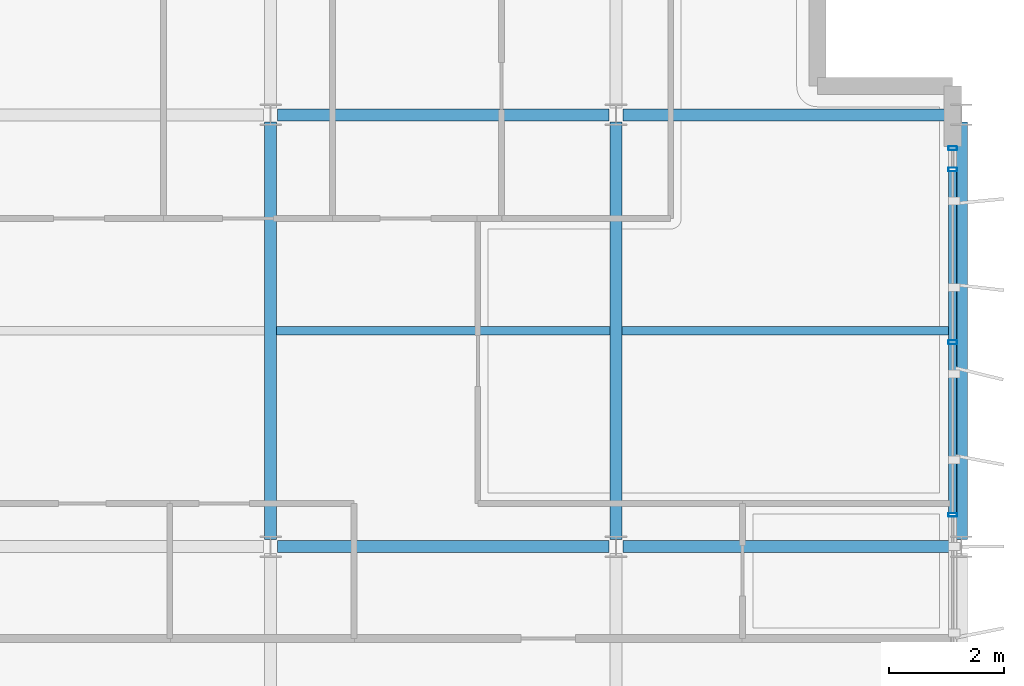
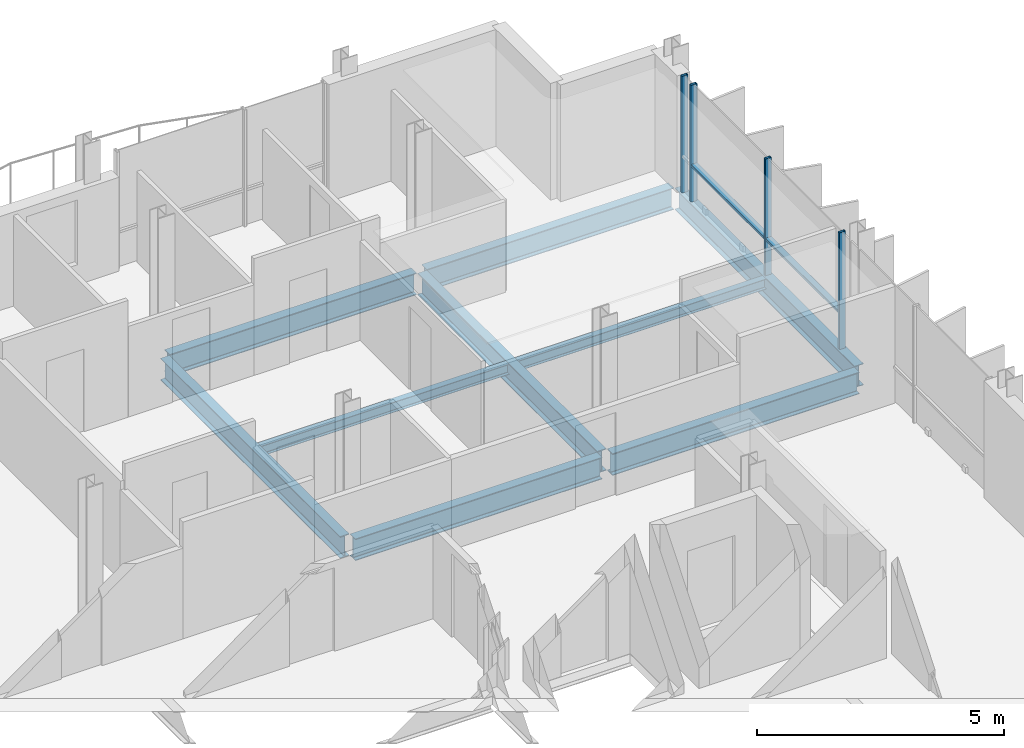
# One storey, part 13 of 30: 9 beams, 6 members, 1 element without a shape of its own.
"""IFC4 building model written with IfcOpenShell, lengths in metres."""

from ifc_helpers import new_model, si_unit, direction, frame, origin, origin_2d, place, context, subcontext, project, spatial, hollow_rectangle, i_section, extrude, material, layer, layer_set, material_profile, profile_set, type_object, element, aggregate, save


model = new_model("IFC4")

# Units and contexts
model_context = context("Model", 3, precision=1e-05, world=origin(), true_north=direction((0.0, 1.0)))
body_context = subcontext(model_context, "Body", "Model", "MODEL_VIEW")
ifc_project = project(units=[si_unit("LENGTHUNIT", "METRE"), si_unit("AREAUNIT", "SQUARE_METRE"), si_unit("VOLUMEUNIT", "CUBIC_METRE"), si_unit("PLANEANGLEUNIT", "RADIAN"), si_unit("MASSUNIT", "GRAM", prefix="KILO")], contexts=[model_context])

# Site, building, storey
site_placement = place(None, origin())
site = spatial("IfcSite", under=ifc_project, at=site_placement, CompositionType="ELEMENT")
building_placement = place(site_placement, origin())
building = spatial("IfcBuilding", under=site, at=building_placement, Name="Brevholm Reach", CompositionType="ELEMENT")
storey_placement = place(building_placement, frame((0.0, 0.0, 211.10009765625)))
storey = spatial("IfcBuildingStorey", under=building, at=storey_placement, Name="L64", CompositionType="ELEMENT", Elevation=211.10009765625)

# Beams
ifc_material_1 = material(Name="Structural Steel S355J2", Category="steel")
ifc_material_profile_1 = material_profile(ifc_material_1, i_section(OverallWidth=0.14599609375, OverallDepth=0.25146484375, WebThickness=0.006103515625, FlangeThickness=0.008544921875, FilletRadius=0.007568359375, at=origin_2d()), Name="UKB 254x146x31")
ifc_profile_set_1 = profile_set([ifc_material_profile_1], Name="Structural Steel S355J2")
beam_type_1 = type_object("IfcBeamType", Name="BM-B254", PredefinedType="BEAM", material=ifc_profile_set_1)
beam_1_placement = place(storey_placement, frame((48.10546875, 19.75, -0.335693359375), z_axis=(1.0, 0.0, 0.0), x_axis=(0.0, 1.0, 0.0)))
element("IfcBeam", 1, at=beam_1_placement, inside=storey, type_object=beam_type_1, Name="L64 Composite Secondary Floor Beam", PredefinedType="BEAM", context=body_context, shape_type="SweptSolid", body=[
    extrude(i_section(OverallWidth=0.14599609375, OverallDepth=0.25146484375, WebThickness=0.006103515625, FlangeThickness=0.008544921875, FilletRadius=0.007568359375, at=origin_2d()), origin(), (0.0, 0.0, 1.0), 5.7890625),
])
beam_2_placement = place(storey_placement, frame((54.10546875, 19.75, -0.335693359375), z_axis=(1.0, 0.0, 0.0), x_axis=(0.0, 1.0, 0.0)))
element("IfcBeam", 2, at=beam_2_placement, inside=storey, type_object=beam_type_1, Name="L64 Composite Secondary Floor Beam", PredefinedType="BEAM", context=body_context, shape_type="SweptSolid", body=[
    extrude(i_section(OverallWidth=0.14599609375, OverallDepth=0.25146484375, WebThickness=0.006103515625, FlangeThickness=0.008544921875, FilletRadius=0.007568359375, at=origin_2d()), origin(), (0.0, 0.0, 1.0), 5.789794921875),
])
ifc_material_2 = material(Name="Structural Steel S355J2", Category="steel")
ifc_material_profile_2 = material_profile(ifc_material_2, i_section(OverallWidth=0.209228515625, OverallDepth=0.533203125, WebThickness=0.010009765625, FlangeThickness=0.015625, FilletRadius=0.0126953125, at=origin_2d()), Name="UKB 533x210x92")
ifc_profile_set_2 = profile_set([ifc_material_profile_2], Name="Structural Steel S355J2")
beam_type_2 = type_object("IfcBeamType", Name="BM-SP533", PredefinedType="SPANDREL", material=ifc_profile_set_2)
beam_3_placement = place(storey_placement, frame((60.0, 16.1201171875, -0.4765625), z_axis=(0.0, 1.0, 0.0), x_axis=(-1.0, 0.0, 0.0)))
element("IfcBeam", 3, at=beam_3_placement, inside=storey, type_object=beam_type_2, Name="L64 SP-02 Framing Beam", PredefinedType="SPANDREL", context=body_context, shape_type="SweptSolid", body=[
    extrude(i_section(OverallWidth=0.209228515625, OverallDepth=0.533203125, WebThickness=0.010009765625, FlangeThickness=0.015625, FilletRadius=0.0126953125, at=origin_2d()), origin(), (0.0, 0.0, 1.0), 7.259765625),
])
ifc_material_3 = material(Name="Structural Steel S355J2", Category="steel")
ifc_material_profile_3 = material_profile(ifc_material_3, i_section(OverallWidth=0.210693359375, OverallDepth=0.53955078125, WebThickness=0.01171875, FlangeThickness=0.018798828125, FilletRadius=0.0126953125, at=origin_2d()), Name="UKB 533x210x109")
ifc_profile_set_3 = profile_set([ifc_material_profile_3], Name="Structural Steel S355J2")
beam_type_3 = type_object("IfcBeamType", Name="BM-SP539", PredefinedType="SPANDREL", material=ifc_profile_set_3)
for number, where, z_axis, x_axis, name in (
    (4, (48.1201171875, 16.0, -0.479736328125), (1.0, 0.0, 0.0), (0.0, 1.0, 0.0), "L64 SP-01B Framing Beam"),
    (5, (54.1201171875, 16.0, -0.479736328125), (1.0, 0.0, 0.0), (0.0, 1.0, 0.0), "L64 SP-01B Framing Beam"),
    (6, (48.1201171875, 23.5, -0.479736328125), (1.0, 0.0, 0.0), (0.0, 1.0, 0.0), "L64 SP-01B Framing Beam"),
    (7, (54.1201171875, 23.5, -0.479736328125), (1.0, 0.0, 0.0), (0.0, 1.0, 0.0), "L64 SP-01B Framing Beam"),
):
    element("IfcBeam", number, at=place(storey_placement, frame(where, z_axis=z_axis, x_axis=x_axis)), inside=storey, type_object=beam_type_3, Name=name, PredefinedType="SPANDREL", context=body_context, shape_type="SweptSolid", body=[
        extrude(i_section(OverallWidth=0.210693359375, OverallDepth=0.53955078125, WebThickness=0.01171875, FlangeThickness=0.018798828125, FilletRadius=0.0126953125, at=origin_2d()), origin(), (0.0, 0.0, 1.0), 5.759765625),
    ])
for number, where, z_axis, x_axis, name in (
    (8, (48.0, 16.1201171875, -0.479736328125), (0.0, 1.0, 0.0), (-1.0, 0.0, 0.0), "L64 SP-01B Framing Beam"),
    (9, (54.0, 16.1201171875, -0.479736328125), (0.0, 1.0, 0.0), (-1.0, 0.0, 0.0), "L64 SP-01B Framing Beam"),
):
    element("IfcBeam", number, at=place(storey_placement, frame(where, z_axis=z_axis, x_axis=x_axis)), inside=storey, type_object=beam_type_3, Name=name, PredefinedType="SPANDREL", context=body_context, shape_type="SweptSolid", body=[
        extrude(i_section(OverallWidth=0.210693359375, OverallDepth=0.53955078125, WebThickness=0.01171875, FlangeThickness=0.018798828125, FilletRadius=0.0126953125, at=origin_2d()), origin(), (0.0, 0.0, 1.0), 7.259765625),
    ])

# Curtain wall, members
ifc_material_4 = material(Name="Dark Anodised Aluminium 6063-T6 and Solar-Control Glass", Category="aluminium")
ifc_layer = layer(ifc_material_4, 0.14990234375)
ifc_layer_set = layer_set([ifc_layer], Name="Dark Anodised Aluminium 6063-T6 and Solar-Control Glass")
curtain_wall_type = type_object("IfcCurtainWallType", Name="CW-01", PredefinedType="NOTDEFINED", material=ifc_layer_set)
curtain_wall_placement = place(storey_placement, origin())
curtain_wall = element("IfcCurtainWall", 10, at=curtain_wall_placement, inside=storey, type_object=curtain_wall_type, Name="L64 Curtain Wall CW-01", PredefinedType="NOTDEFINED")
ifc_material_5 = material(Name="Dark Anodised Aluminium 6063-T6", Category="aluminium")
ifc_material_profile_4 = material_profile(ifc_material_5, hollow_rectangle(XDim=0.06494140625, YDim=0.14990234375, WallThickness=0.0048828125, InnerFilletRadius=0.0048828125, OuterFilletRadius=0.010009765625, at=origin_2d()), Name="RHS 150x65x5")
ifc_profile_set_4 = profile_set([ifc_material_profile_4], Name="Dark Anodised Aluminium 6063-T6")
member_type_1 = type_object("IfcMemberType", Name="CWM-150", PredefinedType="MULLION", material=ifc_profile_set_4)
member_1_placement = place(storey_placement, frame((59.85009765625, 16.550048828125, 0.0), z_axis=(0.0, 0.0, 1.0), x_axis=(0.0, 1.0, 0.0)))
member_1 = element("IfcMember", 11, at=member_1_placement, type_object=member_type_1, Name="CM-150 Mullion 3", PredefinedType="MULLION", context=body_context, shape_type="SweptSolid", body=[
    extrude(hollow_rectangle(XDim=0.06494140625, YDim=0.14990234375, WallThickness=0.0048828125, InnerFilletRadius=0.0048828125, OuterFilletRadius=0.010009765625, at=origin_2d()), origin(), (0.0, 0.0, 1.0), 2.8798828125),
])
member_2_placement = place(storey_placement, frame((59.85009765625, 19.550048828125, 0.0), z_axis=(0.0, 0.0, 1.0), x_axis=(0.0, 1.0, 0.0)))
member_2 = element("IfcMember", 12, at=member_2_placement, type_object=member_type_1, Name="CM-150 Mullion 4", PredefinedType="MULLION", context=body_context, shape_type="SweptSolid", body=[
    extrude(hollow_rectangle(XDim=0.06494140625, YDim=0.14990234375, WallThickness=0.0048828125, InnerFilletRadius=0.0048828125, OuterFilletRadius=0.010009765625, at=origin_2d()), origin(), (0.0, 0.0, 1.0), 2.8798828125),
])
member_3_placement = place(storey_placement, frame((59.85009765625, 22.550048828125, 0.0), z_axis=(0.0, 0.0, 1.0), x_axis=(0.0, 1.0, 0.0)))
member_3 = element("IfcMember", 13, at=member_3_placement, type_object=member_type_1, Name="CM-150 Mullion 5", PredefinedType="MULLION", context=body_context, shape_type="SweptSolid", body=[
    extrude(hollow_rectangle(XDim=0.06494140625, YDim=0.14990234375, WallThickness=0.0048828125, InnerFilletRadius=0.0048828125, OuterFilletRadius=0.010009765625, at=origin_2d()), origin(), (0.0, 0.0, 1.0), 2.8798828125),
])
member_4_placement = place(storey_placement, frame((59.85009765625, 22.91748046875, 0.0), z_axis=(0.0, 0.0, 1.0), x_axis=(0.0, 1.0, 0.0)))
member_4 = element("IfcMember", 14, at=member_4_placement, type_object=member_type_1, Name="CM-150 Mullion 6", PredefinedType="MULLION", context=body_context, shape_type="SweptSolid", body=[
    extrude(hollow_rectangle(XDim=0.06494140625, YDim=0.14990234375, WallThickness=0.0048828125, InnerFilletRadius=0.0048828125, OuterFilletRadius=0.010009765625, at=origin_2d()), origin(), (0.0, 0.0, 1.0), 2.8798828125),
])
ifc_material_6 = material(Name="Dark Anodised Aluminium 6063-T6", Category="aluminium")
ifc_material_profile_5 = material_profile(ifc_material_6, hollow_rectangle(XDim=0.06494140625, YDim=0.14990234375, WallThickness=0.0048828125, InnerFilletRadius=0.0048828125, OuterFilletRadius=0.010009765625, at=origin_2d()), Name="RHS 150x65x5")
ifc_profile_set_5 = profile_set([ifc_material_profile_5], Name="Dark Anodised Aluminium 6063-T6")
member_type_2 = type_object("IfcMemberType", Name="CWT-150", PredefinedType="NOTDEFINED", material=ifc_profile_set_5)
member_5_placement = place(storey_placement, frame((59.85009765625, 16.58251953125, 0.89990234375), z_axis=(0.0, 1.0, 0.0), x_axis=(0.0, 0.0, 1.0)))
member_5 = element("IfcMember", 15, at=member_5_placement, type_object=member_type_2, Name="CT-150 Transom 3.1", ObjectType="TRANSOM", PredefinedType="USERDEFINED", context=body_context, shape_type="SweptSolid", body=[
    extrude(hollow_rectangle(XDim=0.06494140625, YDim=0.14990234375, WallThickness=0.0048828125, InnerFilletRadius=0.0048828125, OuterFilletRadius=0.010009765625, at=origin_2d()), origin(), (0.0, 0.0, 1.0), 2.93505859375),
])
member_6_placement = place(storey_placement, frame((59.85009765625, 19.58251953125, 0.89990234375), z_axis=(0.0, 1.0, 0.0), x_axis=(0.0, 0.0, 1.0)))
member_6 = element("IfcMember", 16, at=member_6_placement, type_object=member_type_2, Name="CT-150 Transom 4.1", ObjectType="TRANSOM", PredefinedType="USERDEFINED", context=body_context, shape_type="SweptSolid", body=[
    extrude(hollow_rectangle(XDim=0.06494140625, YDim=0.14990234375, WallThickness=0.0048828125, InnerFilletRadius=0.0048828125, OuterFilletRadius=0.010009765625, at=origin_2d()), origin(), (0.0, 0.0, 1.0), 2.93505859375),
])
aggregate(curtain_wall, [member_1, member_2, member_3, member_4, member_5, member_6])

save(model, "model.ifc")
